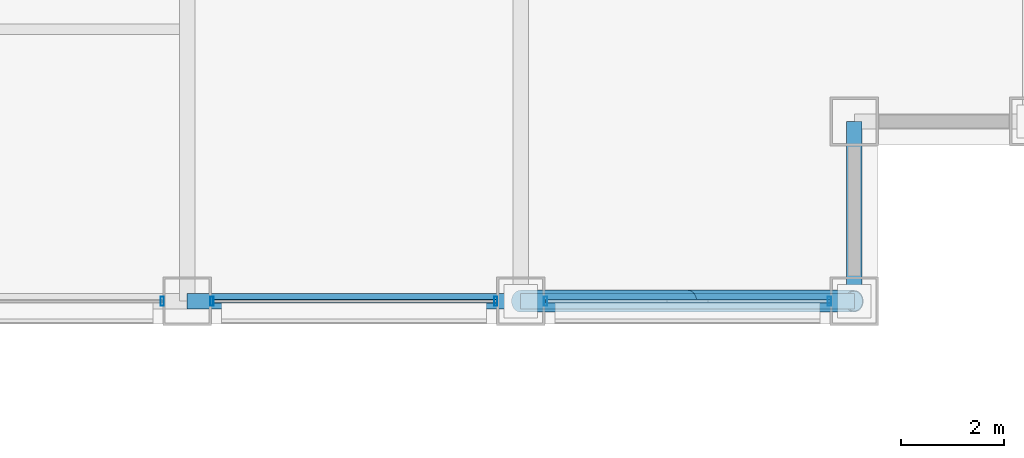
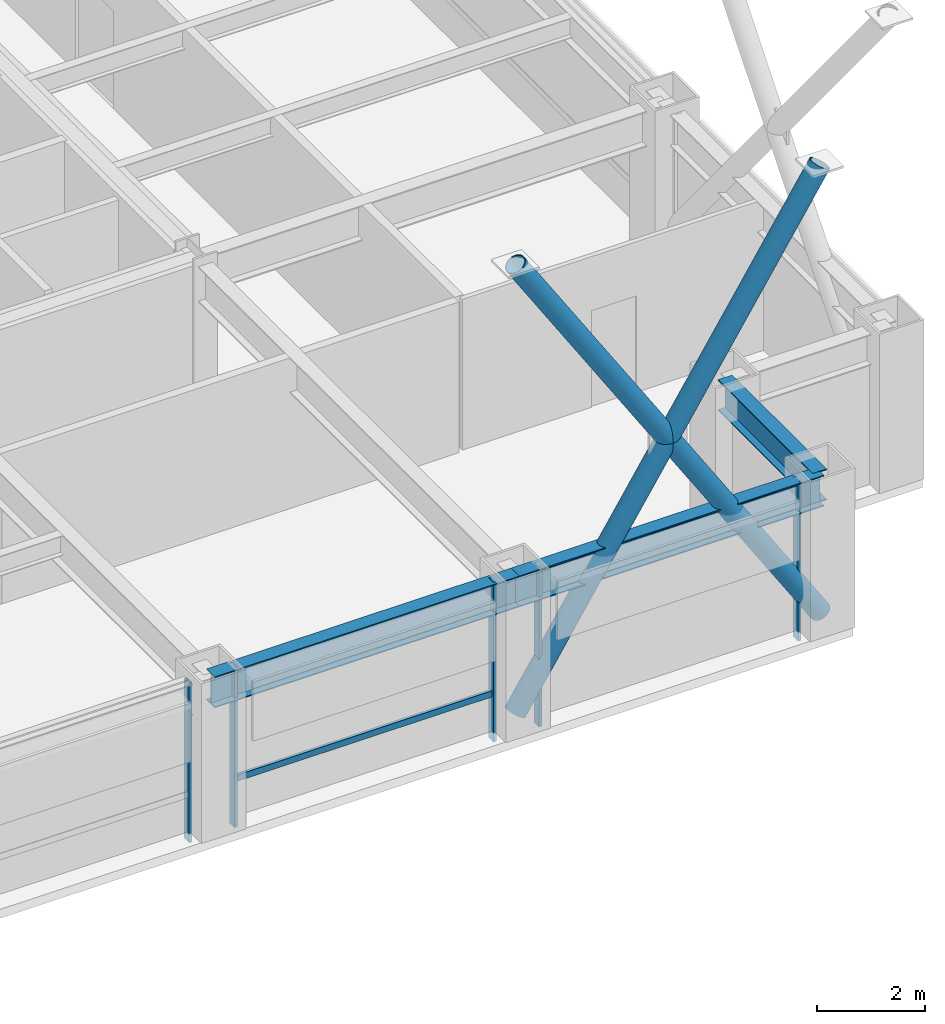
# One storey, part 11 of 33: 10 members, 3 beams, 3 elements without a shape of their own.
"""IFC4 building model written with IfcOpenShell, lengths in metres."""

from ifc_helpers import new_model, si_unit, direction, frame, origin, origin_2d, place, context, subcontext, project, spatial, hollow_rectangle, hollow_circle, i_section, extrude, material, layer, layer_set, material_profile, profile_set, type_object, element, aggregate, save


model = new_model("IFC4")

# Units and contexts
model_context = context("Model", 3, precision=1e-05, world=origin(), true_north=direction((0.0, 1.0)))
body_context = subcontext(model_context, "Body", "Model", "MODEL_VIEW")
ifc_project = project(units=[si_unit("LENGTHUNIT", "METRE"), si_unit("AREAUNIT", "SQUARE_METRE"), si_unit("VOLUMEUNIT", "CUBIC_METRE"), si_unit("PLANEANGLEUNIT", "RADIAN"), si_unit("MASSUNIT", "GRAM", prefix="KILO")], contexts=[model_context])

# Site, building, storey
site_placement = place(None, origin())
site = spatial("IfcSite", under=ifc_project, at=site_placement, CompositionType="ELEMENT")
building_placement = place(site_placement, origin())
building = spatial("IfcBuilding", under=site, at=building_placement, Name="Brelmoor Portico Tower", CompositionType="ELEMENT")
storey_placement = place(building_placement, frame((0.0, 0.0, 34.800048828125)))
storey = spatial("IfcBuildingStorey", under=building, at=storey_placement, Name="L08", CompositionType="ELEMENT", Elevation=34.800048828125)

# Beams
ifc_material_1 = material(Name="Steel Q355B", Category="steel")
ifc_material_profile_1 = material_profile(ifc_material_1, i_section(OverallWidth=0.300048828125, OverallDepth=0.699951171875, WebThickness=0.012939453125, FlangeThickness=0.02392578125, at=origin_2d()), Name="HN 700x300x13x24")
ifc_profile_set_1 = profile_set([ifc_material_profile_1], Name="Steel Q355B")
beam_type = type_object("IfcBeamType", Name="BM-SP-700", PredefinedType="SPANDREL", material=ifc_profile_set_1)
for number, where, z_axis, x_axis, name in (
    (1, (8.050048828125, -21.550048828125, 3.050048828125), (1.0, 0.0, 0.0), (0.0, 1.0, 0.0), "L08 Perimeter Spandrel Beam SP-04"),
    (2, (14.550048828125, -21.550048828125, 3.050048828125), (1.0, 0.0, 0.0), (0.0, 1.0, 0.0), "L08 Perimeter Spandrel Beam SP-05"),
):
    element("IfcBeam", number, at=place(storey_placement, frame(where, z_axis=z_axis, x_axis=x_axis)), inside=storey, type_object=beam_type, Name=name, PredefinedType="SPANDREL", context=body_context, shape_type="SweptSolid", body=[
        extrude(i_section(OverallWidth=0.300048828125, OverallDepth=0.699951171875, WebThickness=0.012939453125, FlangeThickness=0.02392578125, at=origin_2d()), origin(), (0.0, 0.0, 1.0), 6.5),
    ])
beam_placement = place(storey_placement, frame((21.050048828125, -21.550048828125, 3.050048828125), z_axis=(0.0, 1.0, 0.0), x_axis=(-1.0, 0.0, 0.0)))
element("IfcBeam", 3, at=beam_placement, inside=storey, type_object=beam_type, Name="L08 Perimeter Spandrel Beam SP-20", PredefinedType="SPANDREL", context=body_context, shape_type="SweptSolid", body=[
    extrude(i_section(OverallWidth=0.300048828125, OverallDepth=0.699951171875, WebThickness=0.012939453125, FlangeThickness=0.02392578125, at=origin_2d()), origin(), (0.0, 0.0, 1.0), 3.5),
])

# Members
ifc_material_profile_2 = material_profile(ifc_material_1, hollow_circle(Radius=0.212890625, WallThickness=0.02001953125, at=origin_2d()), Name="CHS 426x20")
ifc_profile_set_2 = profile_set([ifc_material_profile_2], Name="Steel Q355B")
member_type_1 = type_object("IfcMemberType", Name="MB-BELT-DIAG1", PredefinedType="BRACE", material=ifc_profile_set_2)
member_1_placement = place(storey_placement, frame((14.550048828125, -21.550048828125, 0.25), z_axis=(0.541183873462, 0.0, 0.840904284152), x_axis=(0.0, 1.0, 0.0)))
element("IfcMember", 4, at=member_1_placement, inside=storey, type_object=member_type_1, Name="L08 Continuous Mega-X Brace 010A", PredefinedType="BRACE", context=body_context, shape_type="SweptSolid", body=[
    extrude(hollow_circle(Radius=0.212890625, WallThickness=0.02001953125, at=origin_2d()), origin(), (0.0, 0.0, 1.0), 12.0107421875),
])
for number, where, z_axis, x_axis, name in (
    (5, (21.050048828125, -21.550048828125, 0.25), (-0.541174623135, 0.0, 0.840910237347), (0.0, -1.0, 0.0), "L08 Split Mega-X Brace 010B1"),
    (6, (17.800048828125, -21.550048828125, 5.300048828125), (-0.541193124039, 0.0, 0.840898330651), (0.0, -1.0, 0.0), "L08 Split Mega-X Brace 010B2"),
):
    element("IfcMember", number, at=place(storey_placement, frame(where, z_axis=z_axis, x_axis=x_axis)), inside=storey, type_object=member_type_1, Name=name, PredefinedType="BRACE", context=body_context, shape_type="SweptSolid", body=[
        extrude(hollow_circle(Radius=0.212890625, WallThickness=0.02001953125, at=origin_2d()), origin(), (0.0, 0.0, 1.0), 6.00537109375),
    ])

# Curtain wall, member
ifc_material_2 = material(Name="Anodised Aluminium Alloy 6063-T6", Category="aluminium")
ifc_layer_1 = layer(ifc_material_2, 0.179931640625)
ifc_layer_set_1 = layer_set([ifc_layer_1], Name="Anodised Aluminium Alloy 6063-T6")
curtain_wall_type_1 = type_object("IfcCurtainWallType", Name="CW-TOWER-Z1", PredefinedType="NOTDEFINED", material=ifc_layer_set_1)
curtain_wall_1_placement = place(storey_placement, origin())
curtain_wall_1 = element("IfcCurtainWall", 7, at=curtain_wall_1_placement, inside=storey, type_object=curtain_wall_type_1, Name="L08 Curtain Wall CW-L08-1R-1", PredefinedType="NOTDEFINED")
ifc_material_profile_3 = material_profile(ifc_material_2, hollow_rectangle(XDim=0.06494140625, YDim=0.179931640625, WallThickness=0.00390625, at=origin_2d()), Name="ALU MULLION 65x180")
ifc_profile_set_3 = profile_set([ifc_material_profile_3], Name="Anodised Aluminium Alloy 6063-T6")
member_type_2 = type_object("IfcMemberType", Name="MB-CW-MULL-180", PredefinedType="MULLION", material=ifc_profile_set_3)
member_2_placement = place(storey_placement, frame((7.56494140625, -21.550048828125, -0.199951171875), z_axis=(0.0, 0.0, 1.0), x_axis=(1.0, 0.0, 0.0)))
member_2 = element("IfcMember", 8, at=member_2_placement, type_object=member_type_2, Name="CW-L08-1R-1 Mullion 01", PredefinedType="MULLION", context=body_context, shape_type="SweptSolid", body=[
    extrude(hollow_rectangle(XDim=0.06494140625, YDim=0.179931640625, WallThickness=0.00390625, at=origin_2d()), origin(), (0.0, 0.0, 1.0), 3.599853515625),
])
aggregate(curtain_wall_1, [member_2])

# Curtain wall, members
curtain_wall_2_placement = place(storey_placement, origin())
curtain_wall_2 = element("IfcCurtainWall", 9, at=curtain_wall_2_placement, inside=storey, type_object=curtain_wall_type_1, Name="L08 Curtain Wall CW-L08-1R-2", PredefinedType="NOTDEFINED")
member_3_placement = place(storey_placement, frame((8.534912109375, -21.550048828125, -0.199951171875), z_axis=(0.0, 0.0, 1.0), x_axis=(1.0, 0.0, 0.0)))
member_3 = element("IfcMember", 10, at=member_3_placement, type_object=member_type_2, Name="CW-L08-1R-2 Mullion 00", PredefinedType="MULLION", context=body_context, shape_type="SweptSolid", body=[
    extrude(hollow_rectangle(XDim=0.06494140625, YDim=0.179931640625, WallThickness=0.00390625, at=origin_2d()), origin(), (0.0, 0.0, 1.0), 3.599853515625),
])
member_4_placement = place(storey_placement, frame((14.06494140625, -21.550048828125, -0.199951171875), z_axis=(0.0, 0.0, 1.0), x_axis=(1.0, 0.0, 0.0)))
member_4 = element("IfcMember", 11, at=member_4_placement, type_object=member_type_2, Name="CW-L08-1R-2 Mullion 01", PredefinedType="MULLION", context=body_context, shape_type="SweptSolid", body=[
    extrude(hollow_rectangle(XDim=0.06494140625, YDim=0.179931640625, WallThickness=0.00390625, at=origin_2d()), origin(), (0.0, 0.0, 1.0), 3.599853515625),
])

ifc_layer_2 = layer(ifc_material_2, 0.179931640625)
ifc_layer_set_2 = layer_set([ifc_layer_2], Name="Anodised Aluminium Alloy 6063-T6")
curtain_wall_type_2 = type_object("IfcCurtainWallType", Name="CW-TOWER-Z1-XB", PredefinedType="NOTDEFINED", material=ifc_layer_set_2)
curtain_wall_3_placement = place(storey_placement, origin())
curtain_wall_3 = element("IfcCurtainWall", 12, at=curtain_wall_3_placement, inside=storey, type_object=curtain_wall_type_2, Name="L08 Curtain Wall CW-L08-1R-3", PredefinedType="NOTDEFINED")
member_5_placement = place(storey_placement, frame((15.034912109375, -21.550048828125, -0.199951171875), z_axis=(0.0, 0.0, 1.0), x_axis=(1.0, 0.0, 0.0)))
member_5 = element("IfcMember", 13, at=member_5_placement, type_object=member_type_2, Name="CW-L08-1R-3 Mullion 00", PredefinedType="MULLION", context=body_context, shape_type="SweptSolid", body=[
    extrude(hollow_rectangle(XDim=0.06494140625, YDim=0.179931640625, WallThickness=0.00390625, at=origin_2d()), origin(), (0.0, 0.0, 1.0), 3.599853515625),
])
member_6_placement = place(storey_placement, frame((20.56494140625, -21.550048828125, -0.199951171875), z_axis=(0.0, 0.0, 1.0), x_axis=(1.0, 0.0, 0.0)))
member_6 = element("IfcMember", 14, at=member_6_placement, type_object=member_type_2, Name="CW-L08-1R-3 Mullion 01", PredefinedType="MULLION", context=body_context, shape_type="SweptSolid", body=[
    extrude(hollow_rectangle(XDim=0.06494140625, YDim=0.179931640625, WallThickness=0.00390625, at=origin_2d()), origin(), (0.0, 0.0, 1.0), 3.599853515625),
])

# Member
ifc_material_profile_4 = material_profile(ifc_material_2, hollow_rectangle(XDim=0.06494140625, YDim=0.139892578125, WallThickness=0.00390625, at=origin_2d()), Name="ALU TRANSOM 65x140")
ifc_profile_set_4 = profile_set([ifc_material_profile_4], Name="Anodised Aluminium Alloy 6063-T6")
member_type_3 = type_object("IfcMemberType", Name="MB-CW-TRAN-140", PredefinedType="USERDEFINED", material=ifc_profile_set_4)
member_7_placement = place(storey_placement, frame((8.534912109375, -21.550048828125, 0.849853515625), z_axis=(1.0, 0.0, 0.0), x_axis=(0.0, 1.0, 0.0)))
member_7 = element("IfcMember", 15, at=member_7_placement, type_object=member_type_3, Name="CW-L08-1R-2 Transom 1-00", ObjectType="TRANSOM", PredefinedType="USERDEFINED", context=body_context, shape_type="SweptSolid", body=[
    extrude(hollow_rectangle(XDim=0.06494140625, YDim=0.139892578125, WallThickness=0.00390625, at=origin_2d()), origin(), (0.0, 0.0, 1.0), 5.530029296875),
])

aggregate(curtain_wall_2, [member_3, member_4, member_7])

member_8_placement = place(storey_placement, frame((15.034912109375, -21.550048828125, 3.329833984375), z_axis=(1.0, 0.0, 0.0), x_axis=(0.0, 1.0, 0.0)))
member_8 = element("IfcMember", 16, at=member_8_placement, type_object=member_type_3, Name="CW-L08-1R-3 Transom 1-00", ObjectType="TRANSOM", PredefinedType="USERDEFINED", context=body_context, shape_type="SweptSolid", body=[
    extrude(hollow_rectangle(XDim=0.06494140625, YDim=0.139892578125, WallThickness=0.00390625, at=origin_2d()), origin(), (0.0, 0.0, 1.0), 5.530029296875),
])

aggregate(curtain_wall_3, [member_5, member_6, member_8])

save(model, "model.ifc")
